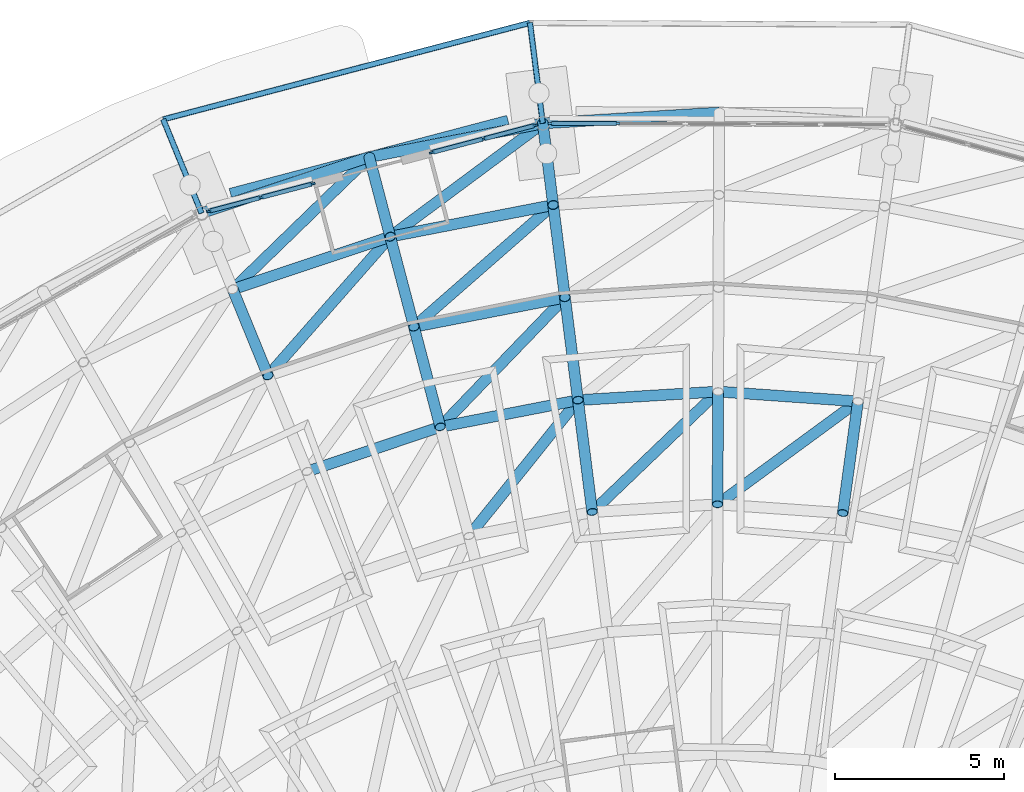
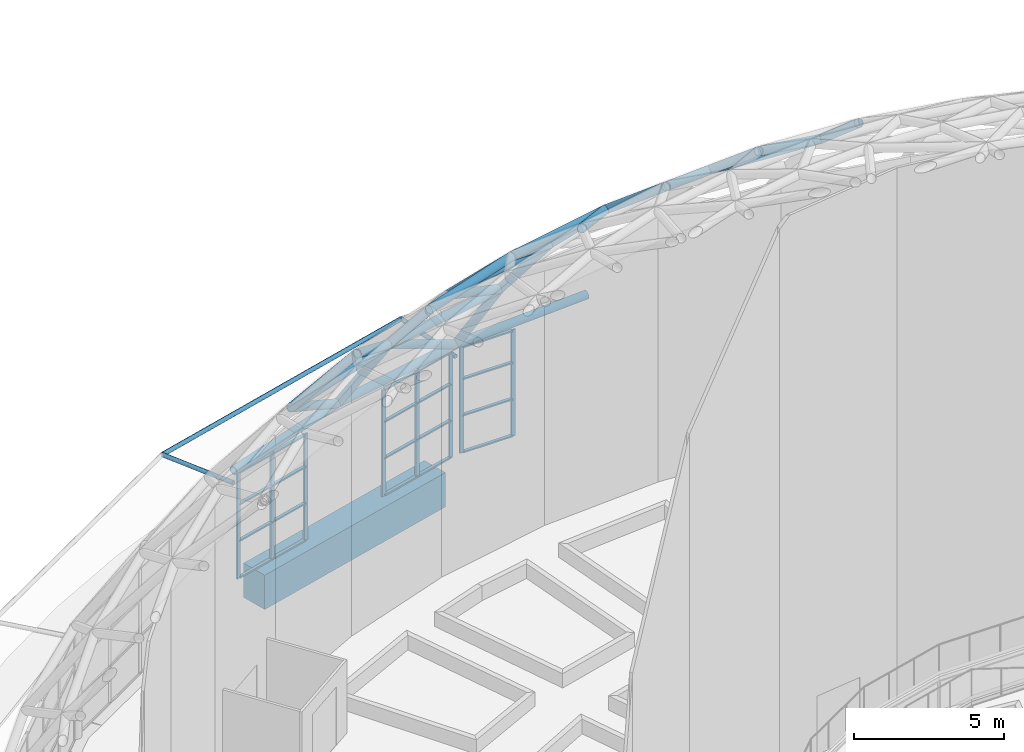
# One storey, part 117 of 226: 59 members, 1 beam, 3 elements without a shape of their own.
"""IFC4 building model written with IfcOpenShell, lengths in metres."""

from ifc_helpers import new_model, si_unit, direction, frame, origin, origin_2d, place, context, subcontext, project, spatial, rectangle, hollow_circle, extrude, material, material_profile, profile_set, type_object, element, aggregate, save


model = new_model("IFC4")

# Units and contexts
model_context = context("Model", 3, precision=1e-05, world=origin(), true_north=direction((0.0, 1.0)))
body_context = subcontext(model_context, "Body", "Model", "MODEL_VIEW")
ifc_project = project(units=[si_unit("LENGTHUNIT", "METRE"), si_unit("AREAUNIT", "SQUARE_METRE"), si_unit("VOLUMEUNIT", "CUBIC_METRE"), si_unit("PLANEANGLEUNIT", "RADIAN"), si_unit("MASSUNIT", "GRAM", prefix="KILO")], contexts=[model_context])

# Site, building, storey
site_placement = place(None, origin())
site = spatial("IfcSite", under=ifc_project, at=site_placement, CompositionType="ELEMENT")
building_placement = place(site_placement, origin())
building = spatial("IfcBuilding", under=site, at=building_placement, Name="Ceibo Conservatory and Research Tower", CompositionType="ELEMENT")
storey_placement = place(building_placement, origin())
storey = spatial("IfcBuildingStorey", under=building, at=storey_placement, Name="L00", CompositionType="ELEMENT", Elevation=0.0)

# Members
ifc_material_1 = material(Name="Steel ASTM A500 Gr C", Category="steel")
ifc_material_profile_1 = material_profile(ifc_material_1, hollow_circle(Radius=0.084228515625, WallThickness=0.007080078125, at=origin_2d()), Name="CHS 168.3x7.11")
ifc_profile_set_1 = profile_set([ifc_material_profile_1], Name="Steel ASTM A500 Gr C")
member_type_1 = type_object("IfcMemberType", Name="CHS 168.3x7.11", PredefinedType="NOTDEFINED", material=ifc_profile_set_1)
for number, where, z_axis, x_axis, name in (
    (1, (150.9521484375, 147.68017578125, 4.0), (-0.126087484547, 0.990977715429, -0.045443522799), (-0.992002543853, -0.126217879041, 0.0), "Brim brace bracket A-BK07"),
    (2, (140.85400390625, 145.021728515625, 4.0), (-0.378270157158, 0.924579088193, -0.045444448281), (-0.925535288892, -0.378661364567, 0.0), "Brim brace bracket A-BK08"),
):
    element("IfcMember", number, at=place(storey_placement, frame(where, z_axis=z_axis, x_axis=x_axis)), inside=storey, type_object=member_type_1, Name=name, PredefinedType="BRACE", context=body_context, shape_type="SweptSolid", body=[
        extrude(hollow_circle(Radius=0.084228515625, WallThickness=0.007080078125, at=origin_2d()), origin(), (0.0, 0.0, 1.0), 3.003173828125),
    ])
member_1_placement = place(storey_placement, frame((150.573486328125, 150.65625, 3.863525390625), z_axis=(-0.96704805007, -0.254593929339, 0.0), x_axis=(0.254593929339, -0.96704805007, 0.0)))
element("IfcMember", 3, at=member_1_placement, inside=storey, type_object=member_type_1, Name="Brim tip ring A-TR11", PredefinedType="CHORD", context=body_context, shape_type="SweptSolid", body=[
    extrude(hollow_circle(Radius=0.084228515625, WallThickness=0.007080078125, at=origin_2d()), origin(), (0.0, 0.0, 1.0), 11.225341796875),
])
ifc_material_profile_2 = material_profile(ifc_material_1, hollow_circle(Radius=0.161865234375, WallThickness=0.01025390625, at=origin_2d()), Name="CHS 323.9x10.31")
ifc_profile_set_2 = profile_set([ifc_material_profile_2], Name="Steel ASTM A500 Gr C")
member_type_2 = type_object("IfcMemberType", Name="CHS 323.9x10.31", PredefinedType="NOTDEFINED", material=ifc_profile_set_2)
member_2_placement = place(storey_placement, frame((151.259033203125, 145.264892578125, 8.115966796875), z_axis=(-0.981608406676, -0.190905568132, 0.0), x_axis=(0.190905568132, -0.981608406676, 0.0)))
element("IfcMember", 4, at=member_2_placement, inside=storey, type_object=member_type_2, Name="Gridshell member A-C02-13", PredefinedType="CHORD", context=body_context, shape_type="SweptSolid", body=[
    extrude(hollow_circle(Radius=0.161865234375, WallThickness=0.01025390625, at=origin_2d()), origin(), (0.0, 0.0, 1.0), 4.913330078125),
])
member_3_placement = place(storey_placement, frame((146.43603515625, 144.326904296875, 8.115966796875), z_axis=(-0.94834989607, -0.31722621995, 0.0), x_axis=(0.31722621995, -0.94834989607, 0.0)))
element("IfcMember", 5, at=member_3_placement, inside=storey, type_object=member_type_2, Name="Gridshell member A-C02-14", PredefinedType="CHORD", context=body_context, shape_type="SweptSolid", body=[
    extrude(hollow_circle(Radius=0.161865234375, WallThickness=0.01025390625, at=origin_2d()), origin(), (0.0, 0.0, 1.0), 4.9140625),
])
member_4_placement = place(storey_placement, frame((151.60791015625, 142.527099609375, 11.489013671875), z_axis=(-0.981608411762, -0.190905541976, 0.0), x_axis=(0.190905541976, -0.981608411762, 0.0)))
element("IfcMember", 6, at=member_4_placement, inside=storey, type_object=member_type_2, Name="Gridshell member A-C03-13", PredefinedType="CHORD", context=body_context, shape_type="SweptSolid", body=[
    extrude(hollow_circle(Radius=0.161865234375, WallThickness=0.01025390625, at=origin_2d()), origin(), (0.0, 0.0, 1.0), 4.552734375),
])
member_5_placement = place(storey_placement, frame((160.281005859375, 139.452880859375, 14.591064453125), z_axis=(-0.997557410508, 0.069851361764, 0.0), x_axis=(-0.069851361764, -0.997557410508, 0.0)))
element("IfcMember", 7, at=member_5_placement, inside=storey, type_object=member_type_2, Name="Gridshell member A-C04-11", PredefinedType="CHORD", context=body_context, shape_type="SweptSolid", body=[
    extrude(hollow_circle(Radius=0.161865234375, WallThickness=0.01025390625, at=origin_2d()), origin(), (0.0, 0.0, 1.0), 4.15234375),
])
member_6_placement = place(storey_placement, frame((156.138916015625, 139.742919921875, 14.591064453125), z_axis=(-0.998129130349, -0.061141141216, 0.0), x_axis=(0.061141141216, -0.998129130349, 0.0)))
element("IfcMember", 8, at=member_6_placement, inside=storey, type_object=member_type_2, Name="Gridshell member A-C04-12", PredefinedType="CHORD", context=body_context, shape_type="SweptSolid", body=[
    extrude(hollow_circle(Radius=0.161865234375, WallThickness=0.01025390625, at=origin_2d()), origin(), (0.0, 0.0, 1.0), 4.15283203125),
])
member_7_placement = place(storey_placement, frame((151.993896484375, 139.489013671875, 14.591064453125), z_axis=(-0.981640168546, -0.190742180699, 0.0), x_axis=(0.190742180699, -0.981640168546, 0.0)))
element("IfcMember", 9, at=member_7_placement, inside=storey, type_object=member_type_2, Name="Gridshell member A-C04-13", PredefinedType="CHORD", context=body_context, shape_type="SweptSolid", body=[
    extrude(hollow_circle(Radius=0.161865234375, WallThickness=0.01025390625, at=origin_2d()), origin(), (0.0, 0.0, 1.0), 4.152099609375),
])
member_8_placement = place(storey_placement, frame((147.91796875, 138.697021484375, 14.591064453125), z_axis=(-0.948264966495, -0.317480004596, 0.0), x_axis=(0.317480004596, -0.948264966495, 0.0)))
element("IfcMember", 10, at=member_8_placement, inside=storey, type_object=member_type_2, Name="Gridshell member A-C04-14", PredefinedType="CHORD", context=body_context, shape_type="SweptSolid", body=[
    extrude(hollow_circle(Radius=0.161865234375, WallThickness=0.01025390625, at=origin_2d()), origin(), (0.0, 0.0, 1.0), 4.15185546875),
])
ifc_material_profile_3 = material_profile(ifc_material_1, hollow_circle(Radius=0.161865234375, WallThickness=0.01416015625, at=origin_2d()), Name="CHS 323.9x14.27")
ifc_profile_set_3 = profile_set([ifc_material_profile_3], Name="Steel ASTM A500 Gr C")
member_type_3 = type_object("IfcMemberType", Name="CHS 323.9x14.27", PredefinedType="NOTDEFINED", material=ifc_profile_set_3)
member_9_placement = place(storey_placement, frame((150.951904296875, 147.679931640625, 4.5), z_axis=(0.070456573675, -0.554019417167, 0.829516941737), x_axis=(0.992010238608, 0.126157387805, 0.0)))
element("IfcMember", 11, at=member_9_placement, inside=storey, type_object=member_type_3, Name="Gridshell member A-M13-01", PredefinedType="RAFTER", context=body_context, shape_type="SweptSolid", body=[
    extrude(hollow_circle(Radius=0.161865234375, WallThickness=0.01416015625, at=origin_2d()), origin(), (0.0, 0.0, 1.0), 4.359130859375),
])
member_10_placement = place(storey_placement, frame((145.81591796875, 146.681884765625, 4.5), z_axis=(0.142243326425, -0.540188632558, 0.829435396726), x_axis=(0.967035567708, 0.254641337547, 0.0)))
element("IfcMember", 12, at=member_10_placement, inside=storey, type_object=member_type_3, Name="Gridshell member A-M14-01", PredefinedType="RAFTER", context=body_context, shape_type="SweptSolid", body=[
    extrude(hollow_circle(Radius=0.161865234375, WallThickness=0.01416015625, at=origin_2d()), origin(), (0.0, 0.0, 1.0), 4.359619140625),
])
for number, where, z_axis, x_axis, name in (
    (13, (151.259033203125, 145.264892578125, 8.115966796875), (0.080049089505, -0.628180888534, 0.773938572854), (0.991978360609, 0.126407800723, 0.0), "Gridshell member A-M13-02"),
    (14, (146.43603515625, 144.326904296875, 8.115966796875), (0.16127418638, -0.612382565304, 0.773936838844), (0.967027541568, 0.254671815969, 0.0), "Gridshell member A-M14-02"),
):
    element("IfcMember", number, at=place(storey_placement, frame(where, z_axis=z_axis, x_axis=x_axis)), inside=storey, type_object=member_type_3, Name=name, PredefinedType="RAFTER", context=body_context, shape_type="SweptSolid", body=[
        extrude(hollow_circle(Radius=0.161865234375, WallThickness=0.01416015625, at=origin_2d()), origin(), (0.0, 0.0, 1.0), 4.3583984375),
    ])
member_11_placement = place(storey_placement, frame((141.77587890625, 142.76806640625, 8.115966796875), z_axis=(0.239785476286, -0.586216957441, 0.773855673993), x_axis=(0.92556385973, 0.378591523362, 0.0)))
element("IfcMember", 15, at=member_11_placement, inside=storey, type_object=member_type_3, Name="Gridshell member A-M15-02", PredefinedType="RAFTER", context=body_context, shape_type="SweptSolid", body=[
    extrude(hollow_circle(Radius=0.161865234375, WallThickness=0.01416015625, at=origin_2d()), origin(), (0.0, 0.0, 1.0), 4.358642578125),
])
member_12_placement = place(storey_placement, frame((151.60791015625, 142.527099609375, 11.489013671875), z_axis=(0.088547443855, -0.69695407421, 0.711627970662), x_axis=(0.992025662364, 0.126036047268, 0.0)))
element("IfcMember", 16, at=member_12_placement, inside=storey, type_object=member_type_3, Name="Gridshell member A-M13-03", PredefinedType="RAFTER", context=body_context, shape_type="SweptSolid", body=[
    extrude(hollow_circle(Radius=0.161865234375, WallThickness=0.01416015625, at=origin_2d()), origin(), (0.0, 0.0, 1.0), 4.359130859375),
])
member_13_placement = place(storey_placement, frame((147.138916015625, 141.657958984375, 11.489013671875), z_axis=(0.178742039875, -0.679342983267, 0.711719322674), x_axis=(0.967085898206, 0.254450123778, 0.0)))
element("IfcMember", 17, at=member_13_placement, inside=storey, type_object=member_type_3, Name="Gridshell member A-M14-03", PredefinedType="RAFTER", context=body_context, shape_type="SweptSolid", body=[
    extrude(hollow_circle(Radius=0.161865234375, WallThickness=0.01416015625, at=origin_2d()), origin(), (0.0, 0.0, 1.0), 4.358642578125),
])
member_14_placement = place(storey_placement, frame((160.281005859375, 139.452880859375, 14.591064453125), z_axis=(-0.103447230901, -0.75863169602, 0.643254708659), x_axis=(0.990830613177, -0.135109940387, 0.0)))
element("IfcMember", 18, at=member_14_placement, inside=storey, type_object=member_type_3, Name="Gridshell member A-M11-04", PredefinedType="RAFTER", context=body_context, shape_type="SweptSolid", body=[
    extrude(hollow_circle(Radius=0.161865234375, WallThickness=0.01416015625, at=origin_2d()), origin(), (0.0, 0.0, 1.0), 4.359130859375),
])
member_15_placement = place(storey_placement, frame((156.138916015625, 139.742919921875, 14.591064453125), z_axis=(-0.003416241171, -0.765686053953, 0.643205407376), x_axis=(0.999990046883, -0.004461629086, 0.0)))
element("IfcMember", 19, at=member_15_placement, inside=storey, type_object=member_type_3, Name="Gridshell member A-M12-04", PredefinedType="RAFTER", context=body_context, shape_type="SweptSolid", body=[
    extrude(hollow_circle(Radius=0.161865234375, WallThickness=0.01416015625, at=origin_2d()), origin(), (0.0, 0.0, 1.0), 4.359375),
])
member_16_placement = place(storey_placement, frame((151.993896484375, 139.489013671875, 14.591064453125), z_axis=(0.09661043138, -0.759554011809, 0.643229451823), x_axis=(0.992007736093, 0.126177064206, 0.0)))
element("IfcMember", 20, at=member_16_placement, inside=storey, type_object=member_type_3, Name="Gridshell member A-M13-04", PredefinedType="RAFTER", context=body_context, shape_type="SweptSolid", body=[
    extrude(hollow_circle(Radius=0.161865234375, WallThickness=0.01416015625, at=origin_2d()), origin(), (0.0, 0.0, 1.0), 4.359130859375),
])
ifc_material_2 = material(Name="Steel S355J2H", Category="steel")
ifc_material_profile_4 = material_profile(ifc_material_2, hollow_circle(Radius=0.161865234375, WallThickness=0.025390625, at=origin_2d()), Name="CHS 323.9x25.40")
ifc_profile_set_4 = profile_set([ifc_material_profile_4], Name="Steel S355J2H")
member_type_4 = type_object("IfcMemberType", Name="CHS 323.9x25.40", PredefinedType="NOTDEFINED", material=ifc_profile_set_4)
member_17_placement = place(storey_placement, frame((156.175048828125, 148.0, 4.5), z_axis=(-0.998127721756, -0.06116413215, 0.0), x_axis=(0.06116413215, -0.998127721756, 0.0)))
element("IfcMember", 21, at=member_17_placement, inside=storey, type_object=member_type_4, Name="Gridshell member A-C01-12", PredefinedType="CHORD", context=body_context, shape_type="SweptSolid", body=[
    extrude(hollow_circle(Radius=0.161865234375, WallThickness=0.025390625, at=origin_2d()), origin(), (0.0, 0.0, 1.0), 5.23291015625),
])
for number, where, z_axis, x_axis, name in (
    (22, (150.951904296875, 147.679931640625, 4.5), (-0.981637482692, -0.190756002721, 0.0), (0.190756002721, -0.981637482692, 0.0), "Gridshell member A-C01-13"),
    (23, (145.81591796875, 146.681884765625, 4.5), (-0.948342120967, -0.317249462726, 0.0), (0.317249462726, -0.948342120967, 0.0), "Gridshell member A-C01-14"),
):
    element("IfcMember", number, at=place(storey_placement, frame(where, z_axis=z_axis, x_axis=x_axis)), inside=storey, type_object=member_type_4, Name=name, PredefinedType="CHORD", context=body_context, shape_type="SweptSolid", body=[
        extrude(hollow_circle(Radius=0.161865234375, WallThickness=0.025390625, at=origin_2d()), origin(), (0.0, 0.0, 1.0), 5.232177734375),
    ])
ifc_material_profile_5 = material_profile(ifc_material_1, hollow_circle(Radius=0.161865234375, WallThickness=0.00830078125, at=origin_2d()), Name="CHS 323.9x8.38")
ifc_profile_set_5 = profile_set([ifc_material_profile_5], Name="Steel ASTM A500 Gr C")
member_type_5 = type_object("IfcMemberType", Name="CHS 323.9x8.38", PredefinedType="NOTDEFINED", material=ifc_profile_set_5)
member_18_placement = place(storey_placement, frame((150.951904296875, 147.679931640625, 4.5), z_axis=(-0.675357546429, -0.50145215671, 0.540775294381), x_axis=(0.596138579298, -0.802881556814, 0.0)))
element("IfcMember", 24, at=member_18_placement, inside=storey, type_object=member_type_5, Name="Gridshell diagonal member A-D01-13", PredefinedType="BRACE", context=body_context, shape_type="SweptSolid", body=[
    extrude(hollow_circle(Radius=0.161865234375, WallThickness=0.00830078125, at=origin_2d()), origin(), (0.0, 0.0, 1.0), 6.6865234375),
])
member_19_placement = place(storey_placement, frame((145.81591796875, 146.681884765625, 4.5), z_axis=(-0.604168994213, -0.585293276905, 0.54075096527), x_axis=(0.695798014623, -0.718237511445, 0.0)))
element("IfcMember", 25, at=member_19_placement, inside=storey, type_object=member_type_5, Name="Gridshell diagonal member A-D01-14", PredefinedType="BRACE", context=body_context, shape_type="SweptSolid", body=[
    extrude(hollow_circle(Radius=0.161865234375, WallThickness=0.00830078125, at=origin_2d()), origin(), (0.0, 0.0, 1.0), 6.68701171875),
])
member_20_placement = place(storey_placement, frame((151.259033203125, 145.264892578125, 8.115966796875), z_axis=(-0.640626212112, -0.560832641487, 0.524466209205), x_axis=(0.658693973243, -0.75241095793, 0.0)))
element("IfcMember", 26, at=member_20_placement, inside=storey, type_object=member_type_5, Name="Gridshell diagonal member A-D02-13", PredefinedType="BRACE", context=body_context, shape_type="SweptSolid", body=[
    extrude(hollow_circle(Radius=0.161865234375, WallThickness=0.00830078125, at=origin_2d()), origin(), (0.0, 0.0, 1.0), 6.431396484375),
])
member_21_placement = place(storey_placement, frame((146.43603515625, 144.326904296875, 8.115966796875), z_axis=(-0.562031492487, -0.639615903283, 0.524415958682), x_axis=(0.751197049716, -0.660078020008, 0.0)))
element("IfcMember", 27, at=member_21_placement, inside=storey, type_object=member_type_5, Name="Gridshell diagonal member A-D02-14", PredefinedType="BRACE", context=body_context, shape_type="SweptSolid", body=[
    extrude(hollow_circle(Radius=0.161865234375, WallThickness=0.00830078125, at=origin_2d()), origin(), (0.0, 0.0, 1.0), 6.431884765625),
])
member_22_placement = place(storey_placement, frame((151.60791015625, 142.527099609375, 11.489013671875), z_axis=(-0.59931437164, -0.62207515299, 0.503830118173), x_axis=(0.720158791099, -0.693809278982, 0.0)))
element("IfcMember", 28, at=member_22_placement, inside=storey, type_object=member_type_5, Name="Gridshell diagonal member A-D03-13", PredefinedType="BRACE", context=body_context, shape_type="SweptSolid", body=[
    extrude(hollow_circle(Radius=0.161865234375, WallThickness=0.00830078125, at=origin_2d()), origin(), (0.0, 0.0, 1.0), 6.156982421875),
])
member_23_placement = place(storey_placement, frame((160.281005859375, 139.452880859375, 14.591064453125), z_axis=(-0.708429514607, -0.519412348643, 0.477847711003), x_axis=(0.591287687534, -0.806460706155, 0.0)))
element("IfcMember", 29, at=member_23_placement, inside=storey, type_object=member_type_5, Name="Gridshell diagonal member A-D04-11", PredefinedType="BRACE", context=body_context, shape_type="SweptSolid", body=[
    extrude(hollow_circle(Radius=0.161865234375, WallThickness=0.00830078125, at=origin_2d()), origin(), (0.0, 0.0, 1.0), 5.867919921875),
])
member_24_placement = place(storey_placement, frame((156.138916015625, 139.742919921875, 14.591064453125), z_axis=(-0.634563233735, -0.607479993378, 0.47780493932), x_axis=(0.691523658499, -0.722353812018, 0.0)))
element("IfcMember", 30, at=member_24_placement, inside=storey, type_object=member_type_5, Name="Gridshell diagonal member A-D04-12", PredefinedType="BRACE", context=body_context, shape_type="SweptSolid", body=[
    extrude(hollow_circle(Radius=0.161865234375, WallThickness=0.00830078125, at=origin_2d()), origin(), (0.0, 0.0, 1.0), 5.868408203125),
])
member_25_placement = place(storey_placement, frame((151.993896484375, 139.489013671875, 14.591064453125), z_axis=(-0.549770167466, -0.6851218934, 0.477871064357), x_axis=(0.779939098, -0.625855417337, 0.0)))
element("IfcMember", 31, at=member_25_placement, inside=storey, type_object=member_type_5, Name="Gridshell diagonal member A-D04-13", PredefinedType="BRACE", context=body_context, shape_type="SweptSolid", body=[
    extrude(hollow_circle(Radius=0.161865234375, WallThickness=0.00830078125, at=origin_2d()), origin(), (0.0, 0.0, 1.0), 5.86767578125),
])

# Curtain wall, members
ifc_material_3 = material(Name="Aluminium and glass", Category="aluminium")
curtain_wall_type = type_object("IfcCurtainWallType", Name="Drum curtain wall", PredefinedType="NOTDEFINED", material=ifc_material_3)
curtain_wall_1_placement = place(storey_placement, origin())
curtain_wall_1 = element("IfcCurtainWall", 32, at=curtain_wall_1_placement, inside=storey, type_object=curtain_wall_type, Name="Drum curtain wall A-CW06", PredefinedType="NOTDEFINED")
ifc_material_4 = material(Name="Aluminium", Category="aluminium")
ifc_material_profile_6 = material_profile(ifc_material_4, rectangle(XDim=0.06005859375, YDim=0.159912109375, at=origin_2d()), Name="AL 60x160")
ifc_profile_set_6 = profile_set([ifc_material_profile_6], Name="Aluminium")
member_type_6 = type_object("IfcMemberType", Name="Drum mullion 60x160", PredefinedType="MULLION", material=ifc_profile_set_6)
member_26_placement = place(storey_placement, frame((153.162353515625, 147.670654296875, 0.0), z_axis=(0.0, 0.0, 1.0), x_axis=(-0.004363300488, -0.999990480759, 0.0)))
member_26 = element("IfcMember", 33, at=member_26_placement, type_object=member_type_6, Name="A-CW06 mullion 5", PredefinedType="MULLION", context=body_context, shape_type="SweptSolid", body=[
    extrude(rectangle(XDim=0.06005859375, YDim=0.159912109375, at=origin_2d()), origin(), (0.0, 0.0, 1.0), 4.338134765625),
])
member_27_placement = place(storey_placement, frame((151.185302734375, 147.67919921875, 0.0), z_axis=(0.0, 0.0, 1.0), x_axis=(-0.004363300488, -0.999990480759, 0.0)))
member_27 = element("IfcMember", 34, at=member_27_placement, type_object=member_type_6, Name="A-CW06 mullion 6", PredefinedType="MULLION", context=body_context, shape_type="SweptSolid", body=[
    extrude(rectangle(XDim=0.06005859375, YDim=0.159912109375, at=origin_2d()), origin(), (0.0, 0.0, 1.0), 4.338134765625),
])

curtain_wall_2_placement = place(storey_placement, origin())
curtain_wall_2 = element("IfcCurtainWall", 35, at=curtain_wall_2_placement, inside=storey, type_object=curtain_wall_type, Name="Drum curtain wall A-CW07W", PredefinedType="NOTDEFINED")
member_28_placement = place(storey_placement, frame((150.7265625, 147.620849609375, 0.0), z_axis=(0.0, 0.0, 1.0), x_axis=(0.254601962062, -0.967045935266, 0.0)))
member_28 = element("IfcMember", 36, at=member_28_placement, type_object=member_type_6, Name="A-CW07W mullion 1", PredefinedType="MULLION", context=body_context, shape_type="SweptSolid", body=[
    extrude(rectangle(XDim=0.06005859375, YDim=0.159912109375, at=origin_2d()), origin(), (0.0, 0.0, 1.0), 4.338134765625),
])
member_29_placement = place(storey_placement, frame((149.19970703125, 147.21875, 0.0), z_axis=(0.0, 0.0, 1.0), x_axis=(0.254601962062, -0.967045935266, 0.0)))
member_29 = element("IfcMember", 37, at=member_29_placement, type_object=member_type_6, Name="A-CW07W mullion 2", PredefinedType="MULLION", context=body_context, shape_type="SweptSolid", body=[
    extrude(rectangle(XDim=0.06005859375, YDim=0.159912109375, at=origin_2d()), origin(), (0.0, 0.0, 1.0), 4.338134765625),
])
member_30_placement = place(storey_placement, frame((147.6728515625, 146.81689453125, 0.0), z_axis=(0.0, 0.0, 1.0), x_axis=(0.254601962062, -0.967045935266, 0.0)))
member_30 = element("IfcMember", 38, at=member_30_placement, type_object=member_type_6, Name="A-CW07W mullion 3", PredefinedType="MULLION", context=body_context, shape_type="SweptSolid", body=[
    extrude(rectangle(XDim=0.06005859375, YDim=0.159912109375, at=origin_2d()), origin(), (0.0, 0.0, 1.0), 4.338134765625),
])

curtain_wall_3_placement = place(storey_placement, origin())
curtain_wall_3 = element("IfcCurtainWall", 39, at=curtain_wall_3_placement, inside=storey, type_object=curtain_wall_type, Name="Drum curtain wall A-CW07E", PredefinedType="NOTDEFINED")
member_31_placement = place(storey_placement, frame((144.13330078125, 145.885009765625, 0.0), z_axis=(0.0, 0.0, 1.0), x_axis=(0.254601962062, -0.967045935266, 0.0)))
member_31 = element("IfcMember", 40, at=member_31_placement, type_object=member_type_6, Name="A-CW07E mullion 1", PredefinedType="MULLION", context=body_context, shape_type="SweptSolid", body=[
    extrude(rectangle(XDim=0.06005859375, YDim=0.159912109375, at=origin_2d()), origin(), (0.0, 0.0, 1.0), 4.338134765625),
])
member_32_placement = place(storey_placement, frame((142.6064453125, 145.48291015625, 0.0), z_axis=(0.0, 0.0, 1.0), x_axis=(0.254601962062, -0.967045935266, 0.0)))
member_32 = element("IfcMember", 41, at=member_32_placement, type_object=member_type_6, Name="A-CW07E mullion 2", PredefinedType="MULLION", context=body_context, shape_type="SweptSolid", body=[
    extrude(rectangle(XDim=0.06005859375, YDim=0.159912109375, at=origin_2d()), origin(), (0.0, 0.0, 1.0), 4.338134765625),
])
member_33_placement = place(storey_placement, frame((141.07958984375, 145.0810546875, 0.0), z_axis=(0.0, 0.0, 1.0), x_axis=(0.254601962062, -0.967045935266, 0.0)))
member_33 = element("IfcMember", 42, at=member_33_placement, type_object=member_type_6, Name="A-CW07E mullion 3", PredefinedType="MULLION", context=body_context, shape_type="SweptSolid", body=[
    extrude(rectangle(XDim=0.06005859375, YDim=0.159912109375, at=origin_2d()), origin(), (0.0, 0.0, 1.0), 4.338134765625),
])

# Member
ifc_material_profile_7 = material_profile(ifc_material_4, rectangle(XDim=0.1201171875, YDim=0.06005859375, at=origin_2d()), Name="AL 60x120")
ifc_profile_set_7 = profile_set([ifc_material_profile_7], Name="Aluminium")
member_type_7 = type_object("IfcMemberType", Name="Drum transom 60x120", PredefinedType="USERDEFINED", material=ifc_profile_set_7)
member_34_placement = place(storey_placement, frame((153.13232421875, 147.670654296875, 0.030029296875), z_axis=(-0.999990625219, 0.004330066385, 0.0), x_axis=(-0.004330066385, -0.999990625219, 0.0)))
member_34 = element("IfcMember", 43, at=member_34_placement, type_object=member_type_7, Name="A-CW06 transom 5.1", ObjectType="TRANSOM", PredefinedType="USERDEFINED", context=body_context, shape_type="SweptSolid", body=[
    extrude(rectangle(XDim=0.1201171875, YDim=0.06005859375, at=origin_2d()), origin(), (0.0, 0.0, 1.0), 1.9169921875),
])

member_35_placement = place(storey_placement, frame((153.13232421875, 147.670654296875, 1.530029296875), z_axis=(-0.999990625219, 0.004330066385, 0.0), x_axis=(-0.004330066385, -0.999990625219, 0.0)))
member_35 = element("IfcMember", 44, at=member_35_placement, type_object=member_type_7, Name="A-CW06 transom 5.2", ObjectType="TRANSOM", PredefinedType="USERDEFINED", context=body_context, shape_type="SweptSolid", body=[
    extrude(rectangle(XDim=0.1201171875, YDim=0.06005859375, at=origin_2d()), origin(), (0.0, 0.0, 1.0), 1.9169921875),
])

member_36_placement = place(storey_placement, frame((153.13232421875, 147.670654296875, 3.014892578125), z_axis=(-0.999990625219, 0.004330066385, 0.0), x_axis=(-0.004330066385, -0.999990625219, 0.0)))
member_36 = element("IfcMember", 45, at=member_36_placement, type_object=member_type_7, Name="A-CW06 transom 5.3", ObjectType="TRANSOM", PredefinedType="USERDEFINED", context=body_context, shape_type="SweptSolid", body=[
    extrude(rectangle(XDim=0.1201171875, YDim=0.06005859375, at=origin_2d()), origin(), (0.0, 0.0, 1.0), 1.9169921875),
])

member_37_placement = place(storey_placement, frame((153.13232421875, 147.670654296875, 4.30810546875), z_axis=(-0.999990625219, 0.004330066385, 0.0), x_axis=(-0.004330066385, -0.999990625219, 0.0)))
member_37 = element("IfcMember", 46, at=member_37_placement, type_object=member_type_7, Name="A-CW06 transom 5.4", ObjectType="TRANSOM", PredefinedType="USERDEFINED", context=body_context, shape_type="SweptSolid", body=[
    extrude(rectangle(XDim=0.1201171875, YDim=0.06005859375, at=origin_2d()), origin(), (0.0, 0.0, 1.0), 1.9169921875),
])

aggregate(curtain_wall_1, [member_26, member_27, member_34, member_35, member_36, member_37])

member_38_placement = place(storey_placement, frame((150.697509765625, 147.61328125, 0.030029296875), z_axis=(-0.967041213975, -0.254619894105, 0.0), x_axis=(0.254619894105, -0.967041213975, 0.0)))
member_38 = element("IfcMember", 47, at=member_38_placement, type_object=member_type_7, Name="A-CW07W transom 1.1", ObjectType="TRANSOM", PredefinedType="USERDEFINED", context=body_context, shape_type="SweptSolid", body=[
    extrude(rectangle(XDim=0.1201171875, YDim=0.06005859375, at=origin_2d()), origin(), (0.0, 0.0, 1.0), 1.518798828125),
])

member_39_placement = place(storey_placement, frame((150.697509765625, 147.61328125, 1.530029296875), z_axis=(-0.967041213975, -0.254619894105, 0.0), x_axis=(0.254619894105, -0.967041213975, 0.0)))
member_39 = element("IfcMember", 48, at=member_39_placement, type_object=member_type_7, Name="A-CW07W transom 1.2", ObjectType="TRANSOM", PredefinedType="USERDEFINED", context=body_context, shape_type="SweptSolid", body=[
    extrude(rectangle(XDim=0.1201171875, YDim=0.06005859375, at=origin_2d()), origin(), (0.0, 0.0, 1.0), 1.518798828125),
])

member_40_placement = place(storey_placement, frame((150.697509765625, 147.61328125, 3.014892578125), z_axis=(-0.967041213975, -0.254619894105, 0.0), x_axis=(0.254619894105, -0.967041213975, 0.0)))
member_40 = element("IfcMember", 49, at=member_40_placement, type_object=member_type_7, Name="A-CW07W transom 1.3", ObjectType="TRANSOM", PredefinedType="USERDEFINED", context=body_context, shape_type="SweptSolid", body=[
    extrude(rectangle(XDim=0.1201171875, YDim=0.06005859375, at=origin_2d()), origin(), (0.0, 0.0, 1.0), 1.518798828125),
])

member_41_placement = place(storey_placement, frame((150.697509765625, 147.61328125, 4.30810546875), z_axis=(-0.967041213975, -0.254619894105, 0.0), x_axis=(0.254619894105, -0.967041213975, 0.0)))
member_41 = element("IfcMember", 50, at=member_41_placement, type_object=member_type_7, Name="A-CW07W transom 1.4", ObjectType="TRANSOM", PredefinedType="USERDEFINED", context=body_context, shape_type="SweptSolid", body=[
    extrude(rectangle(XDim=0.1201171875, YDim=0.06005859375, at=origin_2d()), origin(), (0.0, 0.0, 1.0), 1.518798828125),
])

member_42_placement = place(storey_placement, frame((149.170654296875, 147.211181640625, 0.030029296875), z_axis=(-0.967051632844, -0.254580320164, 0.0), x_axis=(0.254580320164, -0.967051632844, 0.0)))
member_42 = element("IfcMember", 51, at=member_42_placement, type_object=member_type_7, Name="A-CW07W transom 2.1", ObjectType="TRANSOM", PredefinedType="USERDEFINED", context=body_context, shape_type="SweptSolid", body=[
    extrude(rectangle(XDim=0.1201171875, YDim=0.06005859375, at=origin_2d()), origin(), (0.0, 0.0, 1.0), 1.51904296875),
])

member_43_placement = place(storey_placement, frame((149.170654296875, 147.211181640625, 1.530029296875), z_axis=(-0.967051632844, -0.254580320164, 0.0), x_axis=(0.254580320164, -0.967051632844, 0.0)))
member_43 = element("IfcMember", 52, at=member_43_placement, type_object=member_type_7, Name="A-CW07W transom 2.2", ObjectType="TRANSOM", PredefinedType="USERDEFINED", context=body_context, shape_type="SweptSolid", body=[
    extrude(rectangle(XDim=0.1201171875, YDim=0.06005859375, at=origin_2d()), origin(), (0.0, 0.0, 1.0), 1.51904296875),
])

member_44_placement = place(storey_placement, frame((149.170654296875, 147.211181640625, 3.014892578125), z_axis=(-0.967051632844, -0.254580320164, 0.0), x_axis=(0.254580320164, -0.967051632844, 0.0)))
member_44 = element("IfcMember", 53, at=member_44_placement, type_object=member_type_7, Name="A-CW07W transom 2.3", ObjectType="TRANSOM", PredefinedType="USERDEFINED", context=body_context, shape_type="SweptSolid", body=[
    extrude(rectangle(XDim=0.1201171875, YDim=0.06005859375, at=origin_2d()), origin(), (0.0, 0.0, 1.0), 1.51904296875),
])

member_45_placement = place(storey_placement, frame((149.170654296875, 147.211181640625, 4.30810546875), z_axis=(-0.967051632844, -0.254580320164, 0.0), x_axis=(0.254580320164, -0.967051632844, 0.0)))
member_45 = element("IfcMember", 54, at=member_45_placement, type_object=member_type_7, Name="A-CW07W transom 2.4", ObjectType="TRANSOM", PredefinedType="USERDEFINED", context=body_context, shape_type="SweptSolid", body=[
    extrude(rectangle(XDim=0.1201171875, YDim=0.06005859375, at=origin_2d()), origin(), (0.0, 0.0, 1.0), 1.51904296875),
])

aggregate(curtain_wall_2, [member_28, member_29, member_30, member_38, member_39, member_40, member_41, member_42, member_43, member_44, member_45])

member_46_placement = place(storey_placement, frame((144.104248046875, 145.87744140625, 0.030029296875), z_axis=(-0.967041213975, -0.254619894105, 0.0), x_axis=(0.254619894105, -0.967041213975, 0.0)))
member_46 = element("IfcMember", 55, at=member_46_placement, type_object=member_type_7, Name="A-CW07E transom 1.1", ObjectType="TRANSOM", PredefinedType="USERDEFINED", context=body_context, shape_type="SweptSolid", body=[
    extrude(rectangle(XDim=0.1201171875, YDim=0.06005859375, at=origin_2d()), origin(), (0.0, 0.0, 1.0), 1.518798828125),
])

member_47_placement = place(storey_placement, frame((144.104248046875, 145.87744140625, 1.530029296875), z_axis=(-0.967041213975, -0.254619894105, 0.0), x_axis=(0.254619894105, -0.967041213975, 0.0)))
member_47 = element("IfcMember", 56, at=member_47_placement, type_object=member_type_7, Name="A-CW07E transom 1.2", ObjectType="TRANSOM", PredefinedType="USERDEFINED", context=body_context, shape_type="SweptSolid", body=[
    extrude(rectangle(XDim=0.1201171875, YDim=0.06005859375, at=origin_2d()), origin(), (0.0, 0.0, 1.0), 1.518798828125),
])

member_48_placement = place(storey_placement, frame((144.104248046875, 145.87744140625, 3.014892578125), z_axis=(-0.967041213975, -0.254619894105, 0.0), x_axis=(0.254619894105, -0.967041213975, 0.0)))
member_48 = element("IfcMember", 57, at=member_48_placement, type_object=member_type_7, Name="A-CW07E transom 1.3", ObjectType="TRANSOM", PredefinedType="USERDEFINED", context=body_context, shape_type="SweptSolid", body=[
    extrude(rectangle(XDim=0.1201171875, YDim=0.06005859375, at=origin_2d()), origin(), (0.0, 0.0, 1.0), 1.518798828125),
])

member_49_placement = place(storey_placement, frame((144.104248046875, 145.87744140625, 4.30810546875), z_axis=(-0.967041213975, -0.254619894105, 0.0), x_axis=(0.254619894105, -0.967041213975, 0.0)))
member_49 = element("IfcMember", 58, at=member_49_placement, type_object=member_type_7, Name="A-CW07E transom 1.4", ObjectType="TRANSOM", PredefinedType="USERDEFINED", context=body_context, shape_type="SweptSolid", body=[
    extrude(rectangle(XDim=0.1201171875, YDim=0.06005859375, at=origin_2d()), origin(), (0.0, 0.0, 1.0), 1.518798828125),
])

member_50_placement = place(storey_placement, frame((142.577392578125, 145.475341796875, 0.030029296875), z_axis=(-0.967041213975, -0.254619894105, 0.0), x_axis=(0.254619894105, -0.967041213975, 0.0)))
member_50 = element("IfcMember", 59, at=member_50_placement, type_object=member_type_7, Name="A-CW07E transom 2.1", ObjectType="TRANSOM", PredefinedType="USERDEFINED", context=body_context, shape_type="SweptSolid", body=[
    extrude(rectangle(XDim=0.1201171875, YDim=0.06005859375, at=origin_2d()), origin(), (0.0, 0.0, 1.0), 1.518798828125),
])

member_51_placement = place(storey_placement, frame((142.577392578125, 145.475341796875, 1.530029296875), z_axis=(-0.967041213975, -0.254619894105, 0.0), x_axis=(0.254619894105, -0.967041213975, 0.0)))
member_51 = element("IfcMember", 60, at=member_51_placement, type_object=member_type_7, Name="A-CW07E transom 2.2", ObjectType="TRANSOM", PredefinedType="USERDEFINED", context=body_context, shape_type="SweptSolid", body=[
    extrude(rectangle(XDim=0.1201171875, YDim=0.06005859375, at=origin_2d()), origin(), (0.0, 0.0, 1.0), 1.518798828125),
])

member_52_placement = place(storey_placement, frame((142.577392578125, 145.475341796875, 3.014892578125), z_axis=(-0.967041213975, -0.254619894105, 0.0), x_axis=(0.254619894105, -0.967041213975, 0.0)))
member_52 = element("IfcMember", 61, at=member_52_placement, type_object=member_type_7, Name="A-CW07E transom 2.3", ObjectType="TRANSOM", PredefinedType="USERDEFINED", context=body_context, shape_type="SweptSolid", body=[
    extrude(rectangle(XDim=0.1201171875, YDim=0.06005859375, at=origin_2d()), origin(), (0.0, 0.0, 1.0), 1.518798828125),
])

member_53_placement = place(storey_placement, frame((142.577392578125, 145.475341796875, 4.30810546875), z_axis=(-0.967041213975, -0.254619894105, 0.0), x_axis=(0.254619894105, -0.967041213975, 0.0)))
member_53 = element("IfcMember", 62, at=member_53_placement, type_object=member_type_7, Name="A-CW07E transom 2.4", ObjectType="TRANSOM", PredefinedType="USERDEFINED", context=body_context, shape_type="SweptSolid", body=[
    extrude(rectangle(XDim=0.1201171875, YDim=0.06005859375, at=origin_2d()), origin(), (0.0, 0.0, 1.0), 1.518798828125),
])

aggregate(curtain_wall_3, [member_31, member_32, member_33, member_46, member_47, member_48, member_49, member_50, member_51, member_52, member_53])

# Beam
ifc_material_5 = material(Name="Concrete C35/45", Category="concrete")
ifc_material_profile_8 = material_profile(ifc_material_5, rectangle(XDim=1.0, YDim=1.39990234375, at=origin_2d()), Name="RC 1000x1400")
ifc_profile_set_8 = profile_set([ifc_material_profile_8], Name="Concrete C35/45")
beam_type = type_object("IfcBeamType", Name="RC ring beam 1000x1400", PredefinedType="BEAM", material=ifc_profile_set_8)
beam_placement = place(storey_placement, frame((150.009521484375, 147.43212890625, -0.699951171875), z_axis=(-0.967043623557, -0.254610742385, 0.0), x_axis=(0.254610742385, -0.967043623557, 0.0)))
element("IfcBeam", 63, at=beam_placement, inside=storey, type_object=beam_type, Name="Drum ring beam A-RB07", PredefinedType="BEAM", context=body_context, shape_type="SweptSolid", body=[
    extrude(rectangle(XDim=1.0, YDim=1.39990234375, at=origin_2d()), origin(), (0.0, 0.0, 1.0), 8.49267578125),
])

save(model, "model.ifc")
